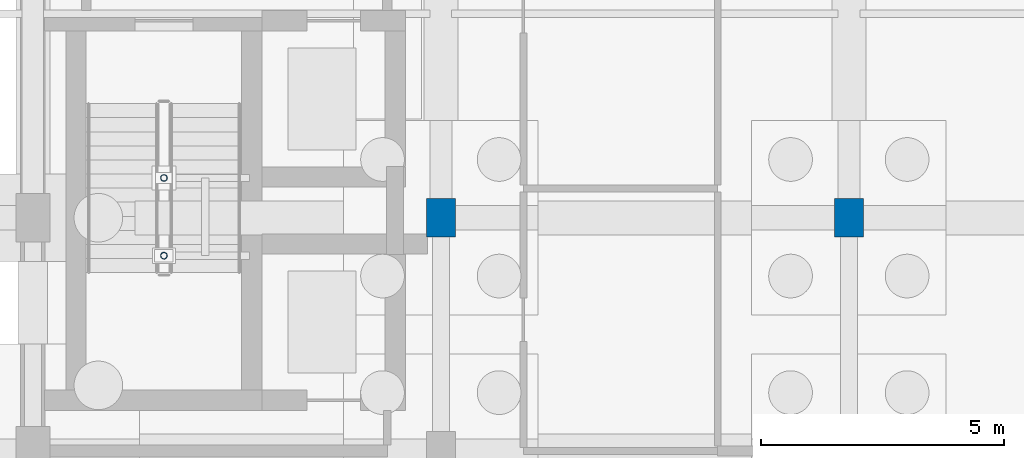
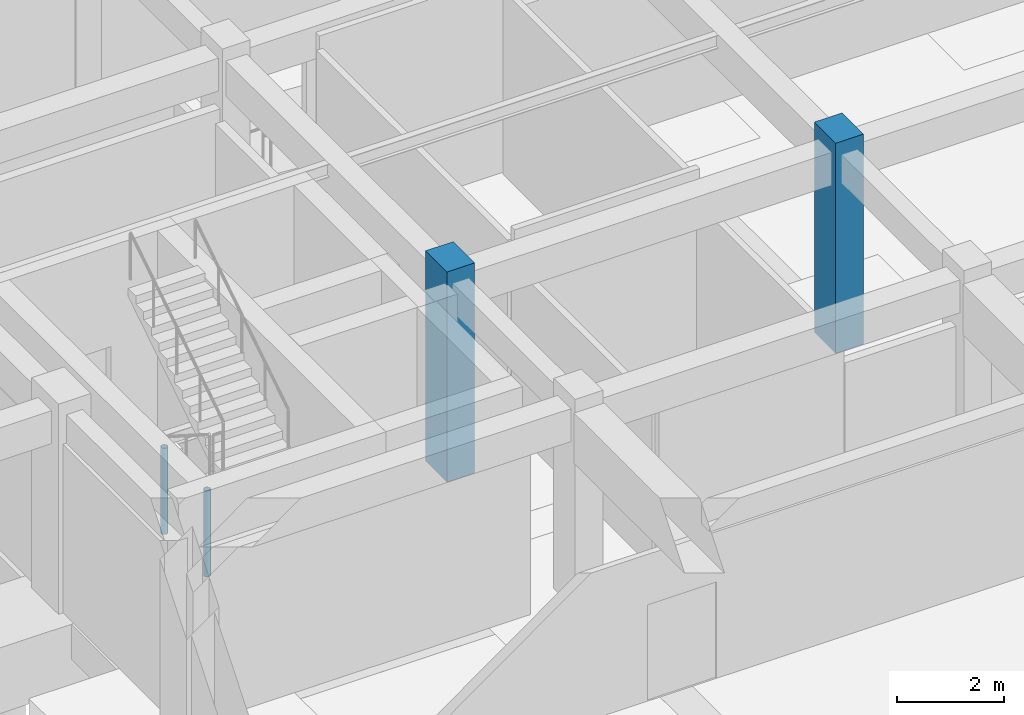
# One storey, part 19 of 49: 4 columns.
"""IFC4 building model written with IfcOpenShell, lengths in metres."""

from ifc_helpers import new_model, si_unit, direction, frame, origin, origin_2d, place, context, subcontext, project, spatial, rectangle, hollow_circle, extrude, material, material_profile, profile_set, type_object, element, save


model = new_model("IFC4")

# Units and contexts
model_context = context("Model", 3, precision=1e-05, world=origin(), true_north=direction((0.0, 1.0)))
body_context = subcontext(model_context, "Body", "Model", "MODEL_VIEW")
ifc_project = project(units=[si_unit("LENGTHUNIT", "METRE"), si_unit("AREAUNIT", "SQUARE_METRE"), si_unit("VOLUMEUNIT", "CUBIC_METRE"), si_unit("PLANEANGLEUNIT", "RADIAN"), si_unit("MASSUNIT", "GRAM", prefix="KILO")], contexts=[model_context])

# Site, building, storey
site_placement = place(None, origin())
site = spatial("IfcSite", under=ifc_project, at=site_placement, CompositionType="ELEMENT")
building_placement = place(site_placement, origin())
building = spatial("IfcBuilding", under=site, at=building_placement, Name="Krzemoval Escarpment Law Courts", CompositionType="ELEMENT")
storey_placement = place(building_placement, frame((0.0, 0.0, -4.800048828125)))
storey = spatial("IfcBuildingStorey", under=building, at=storey_placement, Name="B1", CompositionType="ELEMENT", Elevation=-4.800048828125)

# Columns
ifc_material_1 = material(Name="Concrete C40/50", Category="concrete")
ifc_material_profile_1 = material_profile(ifc_material_1, rectangle(XDim=0.60009765625, YDim=0.800048828125, at=origin_2d()), Name="RC 600x800")
ifc_profile_set_1 = profile_set([ifc_material_profile_1], Name="Concrete C40/50")
column_type_1 = type_object("IfcColumnType", Name="COL-RC-600x800", PredefinedType="COLUMN", material=ifc_profile_set_1)
for number, where, z_axis, x_axis, name in (
    (1, (117.60009765625, 27.0, 0.0), (0.0, 0.0, 1.0), (1.0, 0.0, 0.0), "Column FC-B1-0163"),
    (2, (126.0, 27.0, 0.0), (0.0, 0.0, 1.0), (1.0, 0.0, 0.0), "Column FC-B1-0172"),
):
    element("IfcColumn", number, at=place(storey_placement, frame(where, z_axis=z_axis, x_axis=x_axis)), inside=storey, type_object=column_type_1, Name=name, PredefinedType="COLUMN", context=body_context, shape_type="SweptSolid", body=[
        extrude(rectangle(XDim=0.60009765625, YDim=0.800048828125, at=origin_2d()), origin(), (0.0, 0.0, 1.0), 4.800048828125),
    ])
ifc_material_2 = material(Name="Steel S355", Category="steel")
ifc_material_profile_2 = material_profile(ifc_material_2, hollow_circle(Radius=0.06982421875, WallThickness=0.008056640625, at=origin_2d()), Name="CHS 139.7x8")
ifc_profile_set_2 = profile_set([ifc_material_profile_2], Name="Steel S355")
column_type_2 = type_object("IfcColumnType", Name="COL-S355-CHS140", PredefinedType="COLUMN", material=ifc_profile_set_2)
for number, where, z_axis, x_axis, name in (
    (3, (111.89990234375, 26.219970703125, 0.0), (0.0, 0.0, 1.0), (1.0, 0.0, 0.0), "Stair Well Post SCP-C6-B1-1"),
    (4, (111.89990234375, 27.820068359375, 0.0), (0.0, 0.0, 1.0), (1.0, 0.0, 0.0), "Stair Well Post SCP-C6-B1-2"),
):
    element("IfcColumn", number, at=place(storey_placement, frame(where, z_axis=z_axis, x_axis=x_axis)), inside=storey, type_object=column_type_2, Name=name, PredefinedType="COLUMN", context=body_context, shape_type="SweptSolid", body=[
        extrude(hollow_circle(Radius=0.06982421875, WallThickness=0.008056640625, at=origin_2d()), origin(), (0.0, 0.0, 1.0), 1.969970703125),
    ])

save(model, "model.ifc")
